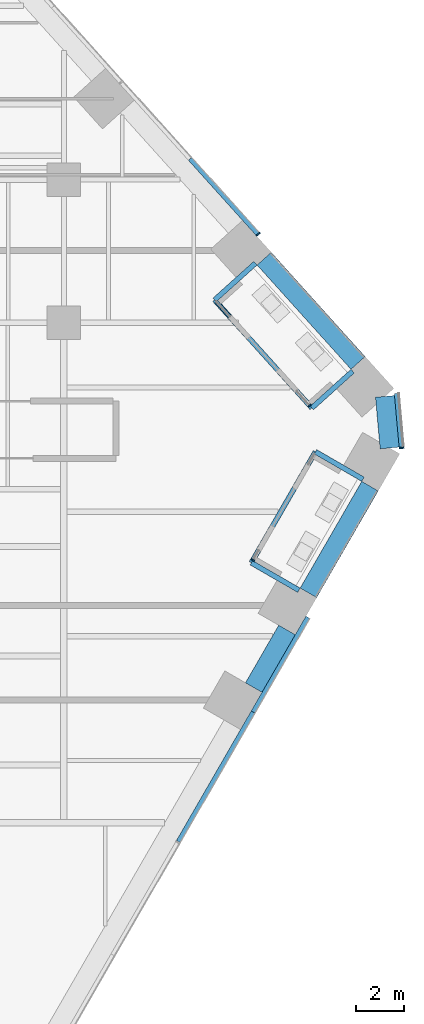
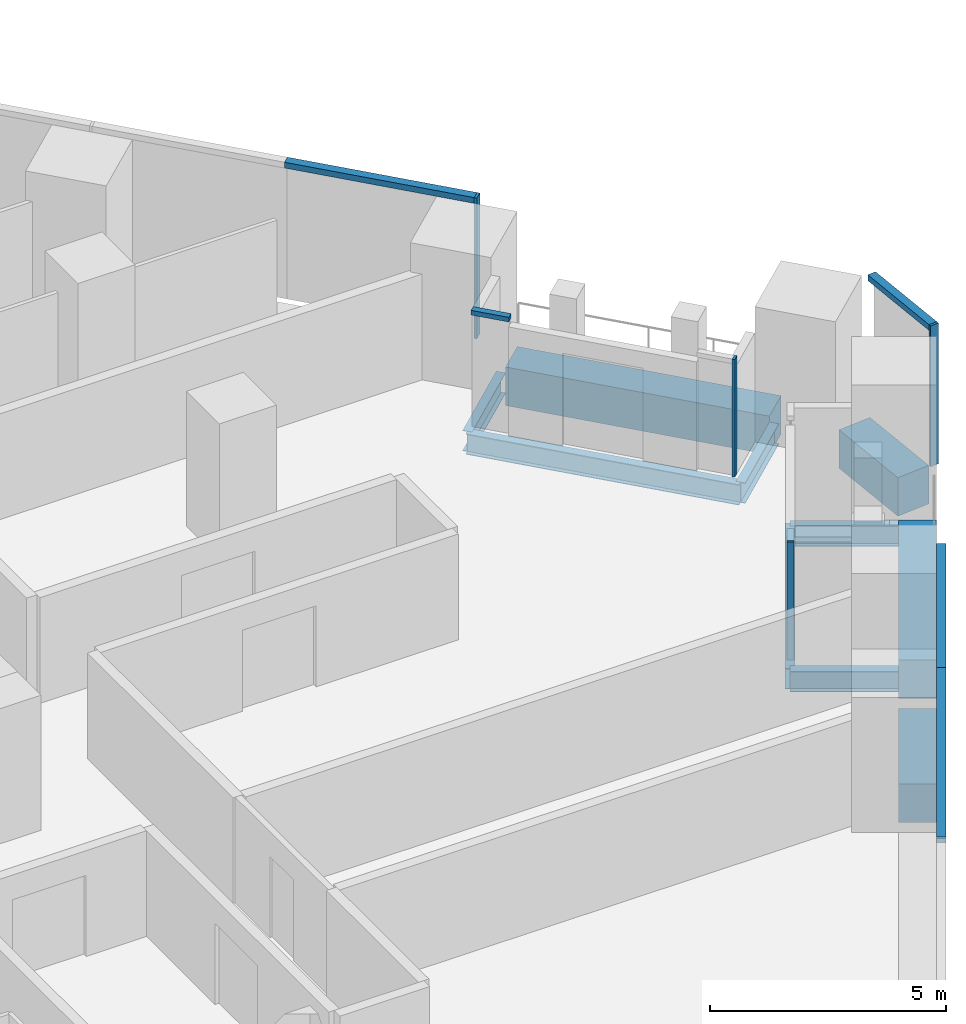
# One storey, part 13 of 31: 10 beams, 9 members, 5 elements without a shape of their own.
"""IFC4 building model written with IfcOpenShell, lengths in metres."""

from ifc_helpers import new_model, si_unit, direction, frame, origin, origin_2d, place, context, subcontext, project, spatial, rectangle, i_section, extrude, material, layer, layer_set, material_profile, profile_set, type_object, element, aggregate, save


model = new_model("IFC4")

# Units and contexts
model_context = context("Model", 3, precision=1e-05, world=origin(), true_north=direction((0.0, 1.0)))
body_context = subcontext(model_context, "Body", "Model", "MODEL_VIEW")
ifc_project = project(units=[si_unit("LENGTHUNIT", "METRE"), si_unit("AREAUNIT", "SQUARE_METRE"), si_unit("VOLUMEUNIT", "CUBIC_METRE"), si_unit("PLANEANGLEUNIT", "RADIAN"), si_unit("MASSUNIT", "GRAM", prefix="KILO")], contexts=[model_context])

# Site, building, storey
site_placement = place(None, origin())
site = spatial("IfcSite", under=ifc_project, at=site_placement, CompositionType="ELEMENT")
building_placement = place(site_placement, origin())
building = spatial("IfcBuilding", under=site, at=building_placement, Name="Isthmus Gate Tower", CompositionType="ELEMENT")
storey_placement = place(building_placement, frame((0.0, 0.0, 54.25)))
storey = spatial("IfcBuildingStorey", under=building, at=storey_placement, Name="L11", CompositionType="ELEMENT", Elevation=54.25)

# Curtain wall, member
ifc_material_1 = material(Name="Aluminium, pale champagne anodised", Category="aluminium")
ifc_layer_1 = layer(ifc_material_1, 0.199951171875)
ifc_layer_set_1 = layer_set([ifc_layer_1], Name="CW-1 UNITISED CURTAIN WALL 200 DEEP")
curtain_wall_type_1 = type_object("IfcCurtainWallType", Name="CW-1 UNITISED CURTAIN WALL 200 DEEP", PredefinedType="NOTDEFINED", material=ifc_layer_set_1)
curtain_wall_1_placement = place(storey_placement, origin())
curtain_wall_1 = element("IfcCurtainWall", 1, at=curtain_wall_1_placement, inside=storey, type_object=curtain_wall_type_1, Name="CW-1 SE-NE L11", PredefinedType="NOTDEFINED")
ifc_material_2 = material(Name="Aluminium, pale champagne anodised", Category="aluminium")
ifc_material_profile_1 = material_profile(ifc_material_2, rectangle(XDim=0.06005859375, YDim=0.199951171875, at=origin_2d()), Name="60x200")
ifc_profile_set_1 = profile_set([ifc_material_profile_1], Name="Aluminium, pale champagne anodised")
member_type_1 = type_object("IfcMemberType", Name="CW-1 MULLION 60 X 200", PredefinedType="MULLION", material=ifc_profile_set_1)
member_1_placement = place(storey_placement, frame((38.178955078125, 2.24169921875, 0.0), z_axis=(0.0, 0.0, 1.0), x_axis=(-0.089396669717, 0.995996102123, 0.0)))
member_1 = element("IfcMember", 2, at=member_1_placement, type_object=member_type_1, Name="CW-1 mullion", PredefinedType="MULLION", context=body_context, shape_type="SweptSolid", body=[
    extrude(rectangle(XDim=0.06005859375, YDim=0.199951171875, at=origin_2d()), origin(), (0.0, 0.0, 1.0), 3.64990234375),
])

curtain_wall_2_placement = place(storey_placement, origin())
curtain_wall_2 = element("IfcCurtainWall", 3, at=curtain_wall_2_placement, inside=storey, type_object=curtain_wall_type_1, Name="CW-1 NE L11", PredefinedType="NOTDEFINED")
member_2_placement = place(storey_placement, frame((32.16162109375, 11.208740234375, 0.0), z_axis=(0.0, 0.0, 1.0), x_axis=(-0.669130606359, 0.743144825477, 0.0)))
member_2 = element("IfcMember", 4, at=member_2_placement, type_object=member_type_1, Name="CW-1 mullion", PredefinedType="MULLION", context=body_context, shape_type="SweptSolid", body=[
    extrude(rectangle(XDim=0.06005859375, YDim=0.199951171875, at=origin_2d()), origin(), (0.0, 0.0, 1.0), 3.64990234375),
])

# Curtain wall, members
curtain_wall_3_placement = place(storey_placement, origin())
curtain_wall_3 = element("IfcCurtainWall", 5, at=curtain_wall_3_placement, inside=storey, type_object=curtain_wall_type_1, Name="CW-1 SE L11", PredefinedType="NOTDEFINED")
ifc_material_3 = material(Name="Aluminium, pale champagne anodised", Category="aluminium")
ifc_material_profile_2 = material_profile(ifc_material_3, rectangle(XDim=0.199951171875, YDim=0.14990234375, at=origin_2d()), Name="200x150")
ifc_profile_set_2 = profile_set([ifc_material_profile_2], Name="Aluminium, pale champagne anodised")
member_type_2 = type_object("IfcMemberType", Name="CW-1 TRANSOM 200 X 150", PredefinedType="USERDEFINED", material=ifc_profile_set_2)
member_3_placement = place(storey_placement, frame((28.817138671875, -14.287353515625, 3.574951171875), z_axis=(0.499995104884, 0.866028229963, 0.0), x_axis=(-0.866028229963, 0.499995104884, 0.0)))
member_3 = element("IfcMember", 6, at=member_3_placement, type_object=member_type_2, Name="CW-1 transom", ObjectType="TRANSOM", PredefinedType="USERDEFINED", context=body_context, shape_type="SweptSolid", body=[
    extrude(rectangle(XDim=0.199951171875, YDim=0.14990234375, at=origin_2d()), origin(), (0.0, 0.0, 1.0), 6.2783203125),
])
member_4_placement = place(storey_placement, frame((31.956298828125, -8.85009765625, 3.574951171875), z_axis=(0.499992401796, 0.866029790565, 0.0), x_axis=(-0.866029790565, 0.499992401796, 0.0)))
member_4 = element("IfcMember", 7, at=member_4_placement, type_object=member_type_2, Name="CW-1 transom", ObjectType="TRANSOM", PredefinedType="USERDEFINED", context=body_context, shape_type="SweptSolid", body=[
    extrude(rectangle(XDim=0.199951171875, YDim=0.14990234375, at=origin_2d()), origin(), (0.0, 0.0, 1.0), 4.5927734375),
])
aggregate(curtain_wall_3, [member_3, member_4])

# Member
member_5_placement = place(storey_placement, frame((38.17626953125, 2.271728515625, 3.574951171875), z_axis=(-0.089395362867, 0.995996219419, 0.0), x_axis=(-0.995996219419, -0.089395362867, 0.0)))
member_5 = element("IfcMember", 8, at=member_5_placement, type_object=member_type_2, Name="CW-1 transom", ObjectType="TRANSOM", PredefinedType="USERDEFINED", context=body_context, shape_type="SweptSolid", body=[
    extrude(rectangle(XDim=0.199951171875, YDim=0.14990234375, at=origin_2d()), origin(), (0.0, 0.0, 1.0), 2.258544921875),
])

aggregate(curtain_wall_1, [member_1, member_5])

member_6_placement = place(storey_placement, frame((32.141357421875, 11.23095703125, 3.574951171875), z_axis=(-0.669123979474, 0.743150792298, 0.0), x_axis=(-0.743150792298, -0.669123979474, 0.0)))
member_6 = element("IfcMember", 9, at=member_6_placement, type_object=member_type_2, Name="CW-1 transom", ObjectType="TRANSOM", PredefinedType="USERDEFINED", context=body_context, shape_type="SweptSolid", body=[
    extrude(rectangle(XDim=0.199951171875, YDim=0.14990234375, at=origin_2d()), origin(), (0.0, 0.0, 1.0), 4.234619140625),
])

aggregate(curtain_wall_2, [member_2, member_6])

# Curtain wall, member
ifc_material_4 = material(Name="Aluminium, pale champagne anodised", Category="aluminium")
ifc_layer_2 = layer(ifc_material_4, 0.14990234375)
ifc_layer_set_2 = layer_set([ifc_layer_2], Name="CW-6 LOGGIA BACK WALL GLAZING 150 DEEP")
curtain_wall_type_2 = type_object("IfcCurtainWallType", Name="CW-6 LOGGIA BACK WALL GLAZING 150 DEEP", PredefinedType="NOTDEFINED", material=ifc_layer_set_2)
curtain_wall_4_placement = place(storey_placement, origin())
curtain_wall_4 = element("IfcCurtainWall", 10, at=curtain_wall_4_placement, inside=storey, type_object=curtain_wall_type_2, Name="CW-6 SE L11", PredefinedType="NOTDEFINED")
ifc_material_5 = material(Name="Aluminium, pale champagne anodised", Category="aluminium")
ifc_material_profile_3 = material_profile(ifc_material_5, rectangle(XDim=0.06005859375, YDim=0.14990234375, at=origin_2d()), Name="60x150")
ifc_profile_set_3 = profile_set([ifc_material_profile_3], Name="Aluminium, pale champagne anodised")
member_type_3 = type_object("IfcMemberType", Name="CW-6 MULLION 60 X 150", PredefinedType="MULLION", material=ifc_profile_set_3)
member_7_placement = place(storey_placement, frame((31.946533203125, -2.467041015625, 0.0), z_axis=(0.0, 0.0, 1.0), x_axis=(0.5, 0.866025403784, 0.0)))
member_7 = element("IfcMember", 11, at=member_7_placement, type_object=member_type_3, Name="CW-6 mullion", PredefinedType="MULLION", context=body_context, shape_type="SweptSolid", body=[
    extrude(rectangle(XDim=0.06005859375, YDim=0.14990234375, at=origin_2d()), origin(), (0.0, 0.0, 1.0), 3.050048828125),
])
aggregate(curtain_wall_4, [member_7])

# Curtain wall, members
curtain_wall_5_placement = place(storey_placement, origin())
curtain_wall_5 = element("IfcCurtainWall", 12, at=curtain_wall_5_placement, inside=storey, type_object=curtain_wall_type_2, Name="CW-6 NE L11", PredefinedType="NOTDEFINED")
member_8_placement = place(storey_placement, frame((34.326416015625, 4.02197265625, 0.0), z_axis=(0.0, 0.0, 1.0), x_axis=(-0.669130606359, 0.743144825477, 0.0)))
member_8 = element("IfcMember", 13, at=member_8_placement, type_object=member_type_3, Name="CW-6 mullion", PredefinedType="MULLION", context=body_context, shape_type="SweptSolid", body=[
    extrude(rectangle(XDim=0.06005859375, YDim=0.14990234375, at=origin_2d()), origin(), (0.0, 0.0, 1.0), 3.050048828125),
])
ifc_material_6 = material(Name="Aluminium, pale champagne anodised", Category="aluminium")
ifc_material_profile_4 = material_profile(ifc_material_6, rectangle(XDim=0.14990234375, YDim=0.1201171875, at=origin_2d()), Name="150x120")
ifc_profile_set_4 = profile_set([ifc_material_profile_4], Name="Aluminium, pale champagne anodised")
member_type_4 = type_object("IfcMemberType", Name="CW-6 TRANSOM 150 X 120", PredefinedType="USERDEFINED", material=ifc_profile_set_4)
member_9_placement = place(storey_placement, frame((30.970947265625, 7.74853515625, 2.989990234375), z_axis=(-0.669140375963, 0.74313602877, 0.0), x_axis=(-0.74313602877, -0.669140375963, 0.0)))
member_9 = element("IfcMember", 14, at=member_9_placement, type_object=member_type_4, Name="CW-6 transom", ObjectType="TRANSOM", PredefinedType="USERDEFINED", context=body_context, shape_type="SweptSolid", body=[
    extrude(rectangle(XDim=0.14990234375, YDim=0.1201171875, at=origin_2d()), origin(), (0.0, 0.0, 1.0), 0.8447265625),
])
aggregate(curtain_wall_5, [member_8, member_9])

# Beams
ifc_material_7 = material(Name="Concrete f'c 70 MPa", Category="concrete")
ifc_material_profile_5 = material_profile(ifc_material_7, rectangle(XDim=0.800048828125, YDim=1.0, at=origin_2d()), Name="RC 800X1000")
ifc_profile_set_5 = profile_set([ifc_material_profile_5], Name="Concrete f'c 70 MPa")
beam_type_1 = type_object("IfcBeamType", Name="RC SPANDREL 800 X 1000", PredefinedType="SPANDREL", material=ifc_profile_set_5)
beam_1_placement = place(storey_placement, frame((32.412353515625, 10.182861328125, -0.5), z_axis=(0.669138782017, -0.743137464001, 0.0), x_axis=(0.743137464001, 0.669138782017, 0.0)))
element("IfcBeam", 15, at=beam_1_placement, inside=storey, type_object=beam_type_1, Name="str-spandrel-L11-04", PredefinedType="SPANDREL", context=body_context, shape_type="SweptSolid", body=[
    extrude(rectangle(XDim=0.800048828125, YDim=1.0, at=origin_2d()), origin(), (0.0, 0.0, 1.0), 5.88916015625),
])
beam_2_placement = place(storey_placement, frame((37.483154296875, 4.40185546875, -0.5), z_axis=(0.089421511639, -0.995993872098, 0.0), x_axis=(0.995993872098, 0.089421511639, 0.0)))
element("IfcBeam", 16, at=beam_2_placement, inside=storey, type_object=beam_type_1, Name="str-spandrel-L11-05", PredefinedType="SPANDREL", context=body_context, shape_type="SweptSolid", body=[
    extrude(rectangle(XDim=0.800048828125, YDim=1.0, at=origin_2d()), origin(), (0.0, 0.0, 1.0), 2.17333984375),
])
beam_3_placement = place(storey_placement, frame((36.8544921875, 0.6337890625, -0.5), z_axis=(-0.50000453793, -0.866022783793, 0.0), x_axis=(0.866022783793, -0.50000453793, 0.0)))
element("IfcBeam", 17, at=beam_3_placement, inside=storey, type_object=beam_type_1, Name="str-spandrel-L11-06", PredefinedType="SPANDREL", context=body_context, shape_type="SweptSolid", body=[
    extrude(rectangle(XDim=0.800048828125, YDim=1.0, at=origin_2d()), origin(), (0.0, 0.0, 1.0), 5.16943359375),
])
beam_4_placement = place(storey_placement, frame((33.369873046875, -5.40185546875, -0.5), z_axis=(-0.500012514453, -0.866018178441, 0.0), x_axis=(0.866018178441, -0.500012514453, 0.0)))
element("IfcBeam", 18, at=beam_4_placement, inside=storey, type_object=beam_type_1, Name="str-spandrel-L11-07", PredefinedType="SPANDREL", context=body_context, shape_type="SweptSolid", body=[
    extrude(rectangle(XDim=0.800048828125, YDim=1.0, at=origin_2d()), origin(), (0.0, 0.0, 1.0), 2.79296875),
])
ifc_material_8 = material(Name="Structural steel ASTM A992 Gr 50", Category="steel")
ifc_material_profile_6 = material_profile(ifc_material_8, i_section(OverallWidth=0.20947265625, OverallDepth=0.533447265625, WebThickness=0.009521484375, FlangeThickness=0.015869140625, at=origin_2d()), Name="W21X62")
ifc_profile_set_6 = profile_set([ifc_material_profile_6], Name="Structural steel ASTM A992 Gr 50")
beam_type_2 = type_object("IfcBeamType", Name="STEEL TRIMMER W21X62", PredefinedType="BEAM", material=ifc_profile_set_6)
beam_5_placement = place(storey_placement, frame((31.875, -2.581298828125, -0.416748046875), z_axis=(0.500005339912, 0.866022320763, 0.0), x_axis=(-0.866022320763, 0.500005339912, 0.0)))
element("IfcBeam", 19, at=beam_5_placement, inside=storey, type_object=beam_type_2, Name="str-loggiatrim-L11-05-B", PredefinedType="BEAM", context=body_context, shape_type="SweptSolid", body=[
    extrude(i_section(OverallWidth=0.20947265625, OverallDepth=0.533447265625, WebThickness=0.009521484375, FlangeThickness=0.015869140625, at=origin_2d()), origin(), (0.0, 0.0, 1.0), 5.37890625),
])
for number, where, z_axis, x_axis, name in (
    (20, (33.87109375, -3.733642578125, -0.416748046875), (-0.866044474677, 0.49996696679, 0.0), (-0.49996696679, -0.866044474677, 0.0), "str-loggiatrim-L11-05-A"),
    (21, (36.560546875, 0.924560546875, -0.416748046875), (-0.866044474677, 0.49996696679, 0.0), (-0.49996696679, -0.866044474677, 0.0), "str-loggiatrim-L11-05-C"),
):
    element("IfcBeam", number, at=place(storey_placement, frame(where, z_axis=z_axis, x_axis=x_axis)), inside=storey, type_object=beam_type_2, Name=name, PredefinedType="BEAM", context=body_context, shape_type="SweptSolid", body=[
        extrude(i_section(OverallWidth=0.20947265625, OverallDepth=0.533447265625, WebThickness=0.009521484375, FlangeThickness=0.015869140625, at=origin_2d()), origin(), (0.0, 0.0, 1.0), 2.304931640625),
    ])
beam_6_placement = place(storey_placement, frame((34.4130859375, 3.918701171875, -0.416748046875), z_axis=(-0.669150487814, 0.743126923653, 0.0), x_axis=(-0.743126923653, -0.669150487814, 0.0)))
element("IfcBeam", 22, at=beam_6_placement, inside=storey, type_object=beam_type_2, Name="str-loggiatrim-L11-06-B", PredefinedType="BEAM", context=body_context, shape_type="SweptSolid", body=[
    extrude(i_section(OverallWidth=0.20947265625, OverallDepth=0.533447265625, WebThickness=0.009521484375, FlangeThickness=0.015869140625, at=origin_2d()), origin(), (0.0, 0.0, 1.0), 6.098876953125),
])
beam_7_placement = place(storey_placement, frame((36.125732421875, 5.4609375, -0.416748046875), z_axis=(-0.743109762025, -0.669169546217, 0.0), x_axis=(0.669169546217, -0.743109762025, 0.0)))
element("IfcBeam", 23, at=beam_7_placement, inside=storey, type_object=beam_type_2, Name="str-loggiatrim-L11-06-A", PredefinedType="BEAM", context=body_context, shape_type="SweptSolid", body=[
    extrude(i_section(OverallWidth=0.20947265625, OverallDepth=0.533447265625, WebThickness=0.009521484375, FlangeThickness=0.015869140625, at=origin_2d()), origin(), (0.0, 0.0, 1.0), 2.3046875),
])
beam_8_placement = place(storey_placement, frame((32.044921875, 9.9931640625, -0.416748046875), z_axis=(-0.743157191285, -0.669116872484, 0.0), x_axis=(0.669116872484, -0.743157191285, 0.0)))
element("IfcBeam", 24, at=beam_8_placement, inside=storey, type_object=beam_type_2, Name="str-loggiatrim-L11-06-C", PredefinedType="BEAM", context=body_context, shape_type="SweptSolid", body=[
    extrude(i_section(OverallWidth=0.20947265625, OverallDepth=0.533447265625, WebThickness=0.009521484375, FlangeThickness=0.015869140625, at=origin_2d()), origin(), (0.0, 0.0, 1.0), 2.304931640625),
])

save(model, "model.ifc")
